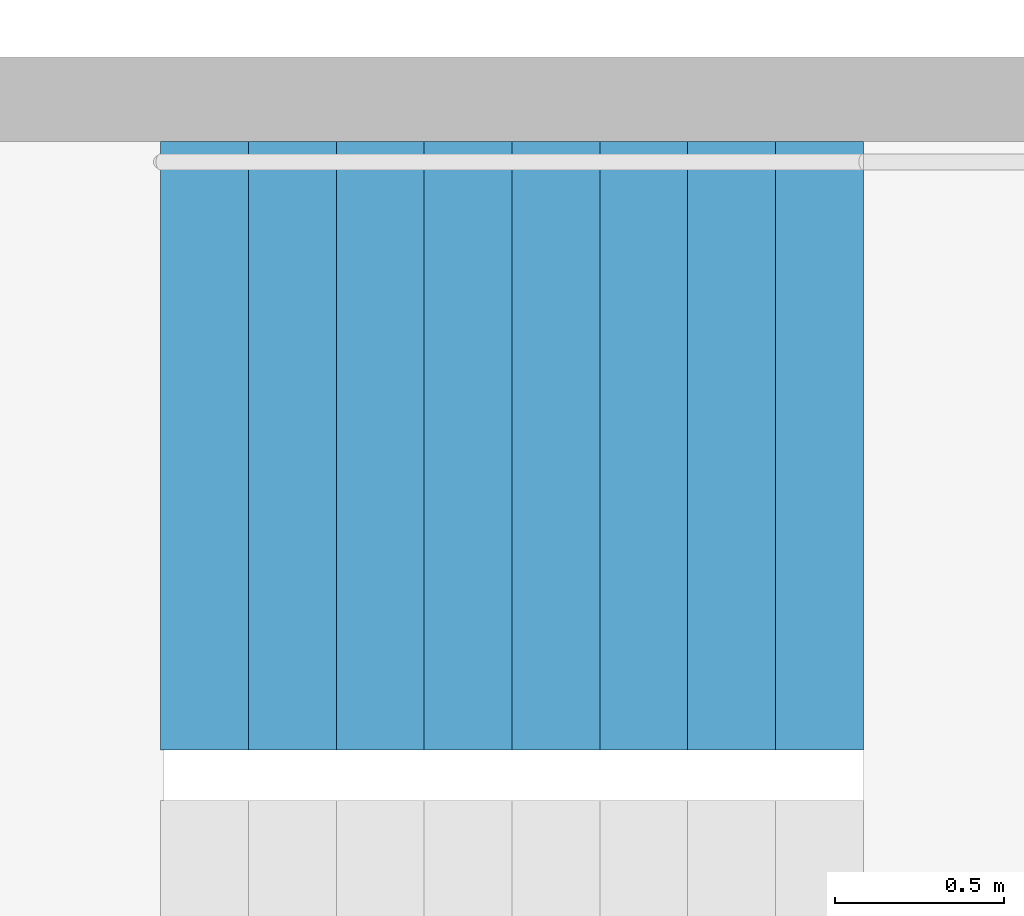
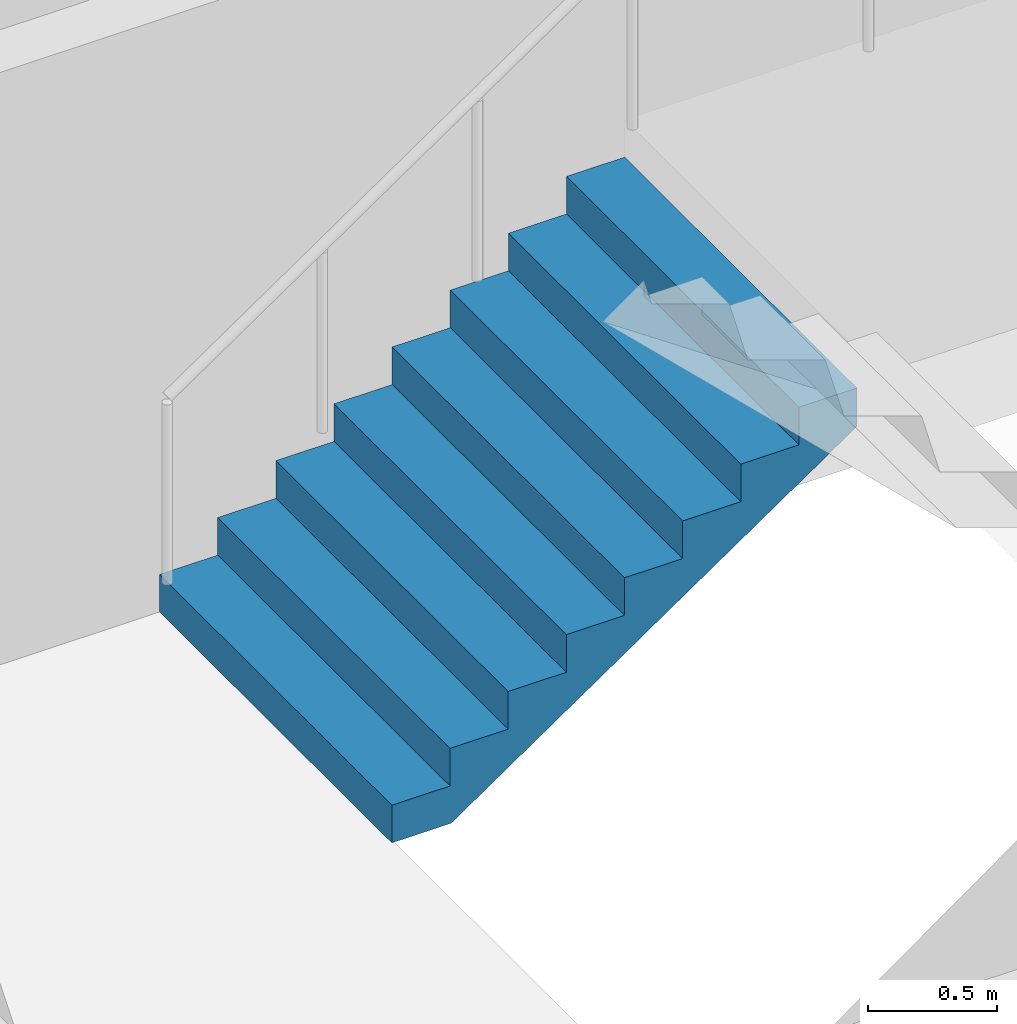
# One storey, part 25 of 28: 1 stair flight, 1 element without a shape of its own.
"""IFC4 building model written with IfcOpenShell, lengths in metres."""

from ifc_helpers import new_model, si_unit, direction, frame, origin, place, context, subcontext, project, spatial, triangles, material, type_object, element, aggregate, save


model = new_model("IFC4")

# Units and contexts
model_context = context("Model", 3, precision=1e-05, world=origin(), true_north=direction((0.0, 1.0)))
body_context = subcontext(model_context, "Body", "Model", "MODEL_VIEW")
ifc_project = project(units=[si_unit("LENGTHUNIT", "METRE"), si_unit("AREAUNIT", "SQUARE_METRE"), si_unit("VOLUMEUNIT", "CUBIC_METRE"), si_unit("PLANEANGLEUNIT", "RADIAN"), si_unit("MASSUNIT", "GRAM", prefix="KILO")], contexts=[model_context])

# Site, building, storey
site_placement = place(None, origin())
site = spatial("IfcSite", under=ifc_project, at=site_placement, CompositionType="ELEMENT")
building_placement = place(site_placement, origin())
building = spatial("IfcBuilding", under=site, at=building_placement, Name="Hakoniwa Tower and Hamabe Station Hall", CompositionType="ELEMENT")
storey_placement = place(building_placement, frame((0.0, 0.0, 58.199951171875)))
storey = spatial("IfcBuildingStorey", under=building, at=storey_placement, Name="L16", CompositionType="ELEMENT", Elevation=58.199951171875)

# Stair, stair flight
ifc_material_1 = material(Name="Concrete C40", Category="concrete")
stair_type = type_object("IfcStairType", Name="ESCAPE STAIR 1800", PredefinedType="HALF_TURN_STAIR", material=ifc_material_1)
stair_placement = place(storey_placement, origin())
stair = element("IfcStair", 1, at=stair_placement, inside=storey, type_object=stair_type, Name="Escape stair ST-4 L16", PredefinedType="HALF_TURN_STAIR")
ifc_material_2 = material(Name="Concrete C40", Category="concrete")
stair_flight_type = type_object("IfcStairFlightType", Name="STAIR FLIGHT 1800", PredefinedType="STRAIGHT", material=ifc_material_2)
stair_flight_placement = place(storey_placement, frame((23.39990234375, -4.64990234375, 0.0), z_axis=(0.0, 0.0, 1.0), x_axis=(1.0, 0.0, 0.0)))
stair_flight = element("IfcStairFlight", 2, at=stair_flight_placement, type_object=stair_flight_type, Name="ST-4 flight 1", NumberOfRisers=9, NumberOfTreads=8, PredefinedType="STRAIGHT", RiserHeight=0.177777778, TreadLength=0.26, context=body_context, shape_type="Tessellation", body=[
    triangles([(0.0, 0.89990234375, 0.0), (0.260009765625, 0.89990234375, 0.0), (0.265625, 0.89990234375, 0.0), (0.52001953125, 0.89990234375, 0.174072265625), (0.780029296875, 0.89990234375, 0.351806640625), (1.0400390625, 0.89990234375, 0.529541015625), (1.300048828125, 0.89990234375, 0.707275390625), (1.56005859375, 0.89990234375, 0.885009765625), (1.820068359375, 0.89990234375, 1.062744140625), (2.080078125, 0.89990234375, 1.24072265625), (2.080078125, 0.89990234375, 1.422119140625), (1.820068359375, 0.89990234375, 1.422119140625), (1.820068359375, 0.89990234375, 1.244384765625), (1.56005859375, 0.89990234375, 1.244384765625), (1.56005859375, 0.89990234375, 1.066650390625), (1.300048828125, 0.89990234375, 1.066650390625), (1.300048828125, 0.89990234375, 0.888916015625), (1.0400390625, 0.89990234375, 0.888916015625), (1.0400390625, 0.89990234375, 0.711181640625), (0.780029296875, 0.89990234375, 0.711181640625), (0.780029296875, 0.89990234375, 0.533447265625), (0.52001953125, 0.89990234375, 0.533447265625), (0.52001953125, 0.89990234375, 0.35546875), (0.265625, 0.89990234375, 0.35546875), (0.260009765625, 0.89990234375, 0.35546875), (0.260009765625, 0.89990234375, 0.177734375), (0.0, 0.89990234375, 0.177734375), (0.0, 0.06005859375, 0.0), (0.260009765625, 0.06005859375, 0.0), (0.265625, 0.06005859375, 0.0), (0.52001953125, 0.06005859375, 0.174072265625), (0.780029296875, 0.06005859375, 0.351806640625), (1.0400390625, 0.06005859375, 0.529541015625), (1.300048828125, 0.06005859375, 0.707275390625), (1.56005859375, 0.06005859375, 0.885009765625), (1.820068359375, 0.06005859375, 1.062744140625), (2.080078125, 0.06005859375, 1.24072265625), (2.080078125, 0.06005859375, 1.422119140625), (1.820068359375, 0.06005859375, 1.422119140625), (1.820068359375, 0.06005859375, 1.244384765625), (1.56005859375, 0.06005859375, 1.244384765625), (1.56005859375, 0.06005859375, 1.066650390625), (1.300048828125, 0.06005859375, 1.066650390625), (1.300048828125, 0.06005859375, 0.888916015625), (1.0400390625, 0.06005859375, 0.888916015625), (1.0400390625, 0.06005859375, 0.711181640625), (0.780029296875, 0.06005859375, 0.711181640625), (0.780029296875, 0.06005859375, 0.533447265625), (0.52001953125, 0.06005859375, 0.533447265625), (0.52001953125, 0.06005859375, 0.35546875), (0.265625, 0.06005859375, 0.35546875), (0.260009765625, 0.06005859375, 0.35546875), (0.260009765625, 0.06005859375, 0.177734375), (0.0, 0.06005859375, 0.177734375), (0.0, 0.04296875, 0.0), (0.260009765625, 0.04296875, 0.0), (0.265625, 0.04296875, 0.0), (0.52001953125, 0.04296875, 0.174072265625), (0.780029296875, 0.04296875, 0.351806640625), (1.0400390625, 0.04296875, 0.529541015625), (1.300048828125, 0.04296875, 0.707275390625), (1.56005859375, 0.04296875, 0.885009765625), (1.820068359375, 0.04296875, 1.062744140625), (2.080078125, 0.04296875, 1.24072265625), (2.080078125, 0.04296875, 1.422119140625), (1.820068359375, 0.04296875, 1.422119140625), (1.820068359375, 0.04296875, 1.244384765625), (1.56005859375, 0.04296875, 1.244384765625), (1.56005859375, 0.04296875, 1.066650390625), (1.300048828125, 0.04296875, 1.066650390625), (1.300048828125, 0.04296875, 0.888916015625), (1.0400390625, 0.04296875, 0.888916015625), (1.0400390625, 0.04296875, 0.711181640625), (0.780029296875, 0.04296875, 0.711181640625), (0.780029296875, 0.04296875, 0.533447265625), (0.52001953125, 0.04296875, 0.533447265625), (0.52001953125, 0.04296875, 0.35546875), (0.265625, 0.04296875, 0.35546875), (0.260009765625, 0.04296875, 0.35546875), (0.260009765625, 0.04296875, 0.177734375), (0.0, 0.04296875, 0.177734375), (0.0, 0.025634765625, 0.0), (0.260009765625, 0.025634765625, 0.0), (0.265625, 0.025634765625, 0.0), (0.52001953125, 0.025634765625, 0.174072265625), (0.780029296875, 0.025634765625, 0.351806640625), (1.0400390625, 0.025634765625, 0.529541015625), (1.300048828125, 0.025634765625, 0.707275390625), (1.56005859375, 0.025634765625, 0.885009765625), (1.820068359375, 0.025634765625, 1.062744140625), (2.080078125, 0.025634765625, 1.24072265625), (2.080078125, 0.025634765625, 1.422119140625), (1.820068359375, 0.025634765625, 1.422119140625), (1.820068359375, 0.025634765625, 1.244384765625), (1.56005859375, 0.025634765625, 1.244384765625), (1.56005859375, 0.025634765625, 1.066650390625), (1.300048828125, 0.025634765625, 1.066650390625), (1.300048828125, 0.025634765625, 0.888916015625), (1.0400390625, 0.025634765625, 0.888916015625), (1.0400390625, 0.025634765625, 0.711181640625), (0.780029296875, 0.025634765625, 0.711181640625), (0.780029296875, 0.025634765625, 0.533447265625), (0.52001953125, 0.025634765625, 0.533447265625), (0.52001953125, 0.025634765625, 0.35546875), (0.265625, 0.025634765625, 0.35546875), (0.260009765625, 0.025634765625, 0.35546875), (0.260009765625, 0.025634765625, 0.177734375), (0.0, 0.025634765625, 0.177734375), (0.0, 0.008544921875, 0.0), (0.260009765625, 0.008544921875, 0.0), (0.265625, 0.008544921875, 0.0), (0.52001953125, 0.008544921875, 0.174072265625), (0.780029296875, 0.008544921875, 0.351806640625), (1.0400390625, 0.008544921875, 0.529541015625), (1.300048828125, 0.008544921875, 0.707275390625), (1.56005859375, 0.008544921875, 0.885009765625), (1.820068359375, 0.008544921875, 1.062744140625), (2.080078125, 0.008544921875, 1.24072265625), (2.080078125, 0.008544921875, 1.422119140625), (1.820068359375, 0.008544921875, 1.422119140625), (1.820068359375, 0.008544921875, 1.244384765625), (1.56005859375, 0.008544921875, 1.244384765625), (1.56005859375, 0.008544921875, 1.066650390625), (1.300048828125, 0.008544921875, 1.066650390625), (1.300048828125, 0.008544921875, 0.888916015625), (1.0400390625, 0.008544921875, 0.888916015625), (1.0400390625, 0.008544921875, 0.711181640625), (0.780029296875, 0.008544921875, 0.711181640625), (0.780029296875, 0.008544921875, 0.533447265625), (0.52001953125, 0.008544921875, 0.533447265625), (0.52001953125, 0.008544921875, 0.35546875), (0.265625, 0.008544921875, 0.35546875), (0.260009765625, 0.008544921875, 0.35546875), (0.260009765625, 0.008544921875, 0.177734375), (0.0, 0.008544921875, 0.177734375), (0.0, -0.008544921875, 0.0), (0.260009765625, -0.008544921875, 0.0), (0.265625, -0.008544921875, 0.0), (0.52001953125, -0.008544921875, 0.174072265625), (0.780029296875, -0.008544921875, 0.351806640625), (1.0400390625, -0.008544921875, 0.529541015625), (1.300048828125, -0.008544921875, 0.707275390625), (1.56005859375, -0.008544921875, 0.885009765625), (1.820068359375, -0.008544921875, 1.062744140625), (2.080078125, -0.008544921875, 1.24072265625), (2.080078125, -0.008544921875, 1.422119140625), (1.820068359375, -0.008544921875, 1.422119140625), (1.820068359375, -0.008544921875, 1.244384765625), (1.56005859375, -0.008544921875, 1.244384765625), (1.56005859375, -0.008544921875, 1.066650390625), (1.300048828125, -0.008544921875, 1.066650390625), (1.300048828125, -0.008544921875, 0.888916015625), (1.0400390625, -0.008544921875, 0.888916015625), (1.0400390625, -0.008544921875, 0.711181640625), (0.780029296875, -0.008544921875, 0.711181640625), (0.780029296875, -0.008544921875, 0.533447265625), (0.52001953125, -0.008544921875, 0.533447265625), (0.52001953125, -0.008544921875, 0.35546875), (0.265625, -0.008544921875, 0.35546875), (0.260009765625, -0.008544921875, 0.35546875), (0.260009765625, -0.008544921875, 0.177734375), (0.0, -0.008544921875, 0.177734375), (0.0, -0.025634765625, 0.0), (0.260009765625, -0.025634765625, 0.0), (0.265625, -0.025634765625, 0.0), (0.52001953125, -0.025634765625, 0.174072265625), (0.780029296875, -0.025634765625, 0.351806640625), (1.0400390625, -0.025634765625, 0.529541015625), (1.300048828125, -0.025634765625, 0.707275390625), (1.56005859375, -0.025634765625, 0.885009765625), (1.820068359375, -0.025634765625, 1.062744140625), (2.080078125, -0.025634765625, 1.24072265625), (2.080078125, -0.025634765625, 1.422119140625), (1.820068359375, -0.025634765625, 1.422119140625), (1.820068359375, -0.025634765625, 1.244384765625), (1.56005859375, -0.025634765625, 1.244384765625), (1.56005859375, -0.025634765625, 1.066650390625), (1.300048828125, -0.025634765625, 1.066650390625), (1.300048828125, -0.025634765625, 0.888916015625), (1.0400390625, -0.025634765625, 0.888916015625), (1.0400390625, -0.025634765625, 0.711181640625), (0.780029296875, -0.025634765625, 0.711181640625), (0.780029296875, -0.025634765625, 0.533447265625), (0.52001953125, -0.025634765625, 0.533447265625), (0.52001953125, -0.025634765625, 0.35546875), (0.265625, -0.025634765625, 0.35546875), (0.260009765625, -0.025634765625, 0.35546875), (0.260009765625, -0.025634765625, 0.177734375), (0.0, -0.025634765625, 0.177734375), (0.0, -0.04296875, 0.0), (0.260009765625, -0.04296875, 0.0), (0.265625, -0.04296875, 0.0), (0.52001953125, -0.04296875, 0.174072265625), (0.780029296875, -0.04296875, 0.351806640625), (1.0400390625, -0.04296875, 0.529541015625), (1.300048828125, -0.04296875, 0.707275390625), (1.56005859375, -0.04296875, 0.885009765625), (1.820068359375, -0.04296875, 1.062744140625), (2.080078125, -0.04296875, 1.24072265625), (2.080078125, -0.04296875, 1.422119140625), (1.820068359375, -0.04296875, 1.422119140625), (1.820068359375, -0.04296875, 1.244384765625), (1.56005859375, -0.04296875, 1.244384765625), (1.56005859375, -0.04296875, 1.066650390625), (1.300048828125, -0.04296875, 1.066650390625), (1.300048828125, -0.04296875, 0.888916015625), (1.0400390625, -0.04296875, 0.888916015625), (1.0400390625, -0.04296875, 0.711181640625), (0.780029296875, -0.04296875, 0.711181640625), (0.780029296875, -0.04296875, 0.533447265625), (0.52001953125, -0.04296875, 0.533447265625), (0.52001953125, -0.04296875, 0.35546875), (0.265625, -0.04296875, 0.35546875), (0.260009765625, -0.04296875, 0.35546875), (0.260009765625, -0.04296875, 0.177734375), (0.0, -0.04296875, 0.177734375), (0.0, -0.06005859375, 0.0), (0.260009765625, -0.06005859375, 0.0), (0.265625, -0.06005859375, 0.0), (0.52001953125, -0.06005859375, 0.174072265625), (0.780029296875, -0.06005859375, 0.351806640625), (1.0400390625, -0.06005859375, 0.529541015625), (1.300048828125, -0.06005859375, 0.707275390625), (1.56005859375, -0.06005859375, 0.885009765625), (1.820068359375, -0.06005859375, 1.062744140625), (2.080078125, -0.06005859375, 1.24072265625), (2.080078125, -0.06005859375, 1.422119140625), (1.820068359375, -0.06005859375, 1.422119140625), (1.820068359375, -0.06005859375, 1.244384765625), (1.56005859375, -0.06005859375, 1.244384765625), (1.56005859375, -0.06005859375, 1.066650390625), (1.300048828125, -0.06005859375, 1.066650390625), (1.300048828125, -0.06005859375, 0.888916015625), (1.0400390625, -0.06005859375, 0.888916015625), (1.0400390625, -0.06005859375, 0.711181640625), (0.780029296875, -0.06005859375, 0.711181640625), (0.780029296875, -0.06005859375, 0.533447265625), (0.52001953125, -0.06005859375, 0.533447265625), (0.52001953125, -0.06005859375, 0.35546875), (0.265625, -0.06005859375, 0.35546875), (0.260009765625, -0.06005859375, 0.35546875), (0.260009765625, -0.06005859375, 0.177734375), (0.0, -0.06005859375, 0.177734375), (0.0, -0.89990234375, 0.0), (0.260009765625, -0.89990234375, 0.0), (0.265625, -0.89990234375, 0.0), (0.52001953125, -0.89990234375, 0.174072265625), (0.780029296875, -0.89990234375, 0.351806640625), (1.0400390625, -0.89990234375, 0.529541015625), (1.300048828125, -0.89990234375, 0.707275390625), (1.56005859375, -0.89990234375, 0.885009765625), (1.820068359375, -0.89990234375, 1.062744140625), (2.080078125, -0.89990234375, 1.24072265625), (2.080078125, -0.89990234375, 1.422119140625), (1.820068359375, -0.89990234375, 1.422119140625), (1.820068359375, -0.89990234375, 1.244384765625), (1.56005859375, -0.89990234375, 1.244384765625), (1.56005859375, -0.89990234375, 1.066650390625), (1.300048828125, -0.89990234375, 1.066650390625), (1.300048828125, -0.89990234375, 0.888916015625), (1.0400390625, -0.89990234375, 0.888916015625), (1.0400390625, -0.89990234375, 0.711181640625), (0.780029296875, -0.89990234375, 0.711181640625), (0.780029296875, -0.89990234375, 0.533447265625), (0.52001953125, -0.89990234375, 0.533447265625), (0.52001953125, -0.89990234375, 0.35546875), (0.265625, -0.89990234375, 0.35546875), (0.260009765625, -0.89990234375, 0.35546875), (0.260009765625, -0.89990234375, 0.177734375), (0.0, -0.89990234375, 0.177734375)], [[2, 27, 26], [245, 269, 270], [2, 1, 27], [245, 270, 244], [3, 25, 24], [246, 267, 268], [3, 26, 25], [246, 268, 269], [3, 2, 26], [246, 269, 245], [4, 24, 23], [247, 266, 267], [4, 3, 24], [247, 267, 246], [5, 22, 21], [248, 264, 265], [5, 23, 22], [248, 265, 266], [5, 4, 23], [248, 266, 247], [6, 20, 19], [249, 262, 263], [6, 21, 20], [249, 263, 264], [6, 5, 21], [249, 264, 248], [7, 18, 17], [250, 260, 261], [7, 19, 18], [250, 261, 262], [7, 6, 19], [250, 262, 249], [8, 16, 15], [251, 258, 259], [8, 17, 16], [251, 259, 260], [8, 7, 17], [251, 260, 250], [9, 14, 13], [252, 256, 257], [9, 15, 14], [252, 257, 258], [9, 8, 15], [252, 258, 251], [10, 12, 11], [253, 254, 255], [10, 13, 12], [253, 255, 256], [10, 9, 13], [253, 256, 252], [1, 2, 29], [1, 29, 28], [28, 29, 56], [28, 56, 55], [55, 56, 83], [55, 83, 82], [82, 83, 110], [82, 110, 109], [109, 110, 137], [109, 137, 136], [136, 137, 164], [136, 164, 163], [163, 164, 191], [163, 191, 190], [190, 191, 218], [190, 218, 217], [217, 218, 245], [217, 245, 244], [2, 3, 30], [2, 30, 29], [29, 30, 57], [29, 57, 56], [56, 57, 84], [56, 84, 83], [83, 84, 111], [83, 111, 110], [110, 111, 138], [110, 138, 137], [137, 138, 165], [137, 165, 164], [164, 165, 192], [164, 192, 191], [191, 192, 219], [191, 219, 218], [218, 219, 246], [218, 246, 245], [3, 4, 31], [3, 31, 30], [30, 31, 58], [30, 58, 57], [57, 58, 85], [57, 85, 84], [84, 85, 112], [84, 112, 111], [111, 112, 139], [111, 139, 138], [138, 139, 166], [138, 166, 165], [165, 166, 193], [165, 193, 192], [192, 193, 220], [192, 220, 219], [219, 220, 247], [219, 247, 246], [4, 5, 32], [4, 32, 31], [31, 32, 59], [31, 59, 58], [58, 59, 86], [58, 86, 85], [85, 86, 113], [85, 113, 112], [112, 113, 140], [112, 140, 139], [139, 140, 167], [139, 167, 166], [166, 167, 194], [166, 194, 193], [193, 194, 221], [193, 221, 220], [220, 221, 248], [220, 248, 247], [5, 6, 33], [5, 33, 32], [32, 33, 60], [32, 60, 59], [59, 60, 87], [59, 87, 86], [86, 87, 114], [86, 114, 113], [113, 114, 141], [113, 141, 140], [140, 141, 168], [140, 168, 167], [167, 168, 195], [167, 195, 194], [194, 195, 222], [194, 222, 221], [221, 222, 249], [221, 249, 248], [6, 7, 34], [6, 34, 33], [33, 34, 61], [33, 61, 60], [60, 61, 88], [60, 88, 87], [87, 88, 115], [87, 115, 114], [114, 115, 142], [114, 142, 141], [141, 142, 169], [141, 169, 168], [168, 169, 196], [168, 196, 195], [195, 196, 223], [195, 223, 222], [222, 223, 250], [222, 250, 249], [7, 8, 35], [7, 35, 34], [34, 35, 62], [34, 62, 61], [61, 62, 89], [61, 89, 88], [88, 89, 116], [88, 116, 115], [115, 116, 143], [115, 143, 142], [142, 143, 170], [142, 170, 169], [169, 170, 197], [169, 197, 196], [196, 197, 224], [196, 224, 223], [223, 224, 251], [223, 251, 250], [8, 9, 36], [8, 36, 35], [35, 36, 63], [35, 63, 62], [62, 63, 90], [62, 90, 89], [89, 90, 117], [89, 117, 116], [116, 117, 144], [116, 144, 143], [143, 144, 171], [143, 171, 170], [170, 171, 198], [170, 198, 197], [197, 198, 225], [197, 225, 224], [224, 225, 252], [224, 252, 251], [9, 10, 37], [9, 37, 36], [36, 37, 64], [36, 64, 63], [63, 64, 91], [63, 91, 90], [90, 91, 118], [90, 118, 117], [117, 118, 145], [117, 145, 144], [144, 145, 172], [144, 172, 171], [171, 172, 199], [171, 199, 198], [198, 199, 226], [198, 226, 225], [225, 226, 253], [225, 253, 252], [10, 11, 38], [10, 38, 37], [37, 38, 65], [37, 65, 64], [64, 65, 92], [64, 92, 91], [91, 92, 119], [91, 119, 118], [118, 119, 146], [118, 146, 145], [145, 146, 173], [145, 173, 172], [172, 173, 200], [172, 200, 199], [199, 200, 227], [199, 227, 226], [226, 227, 254], [226, 254, 253], [11, 12, 39], [11, 39, 38], [38, 39, 66], [38, 66, 65], [65, 66, 93], [65, 93, 92], [92, 93, 120], [92, 120, 119], [119, 120, 147], [119, 147, 146], [146, 147, 174], [146, 174, 173], [173, 174, 201], [173, 201, 200], [200, 201, 228], [200, 228, 227], [227, 228, 255], [227, 255, 254], [12, 13, 40], [12, 40, 39], [39, 40, 67], [39, 67, 66], [66, 67, 94], [66, 94, 93], [93, 94, 121], [93, 121, 120], [120, 121, 148], [120, 148, 147], [147, 148, 175], [147, 175, 174], [174, 175, 202], [174, 202, 201], [201, 202, 229], [201, 229, 228], [228, 229, 256], [228, 256, 255], [13, 14, 41], [13, 41, 40], [40, 41, 68], [40, 68, 67], [67, 68, 95], [67, 95, 94], [94, 95, 122], [94, 122, 121], [121, 122, 149], [121, 149, 148], [148, 149, 176], [148, 176, 175], [175, 176, 203], [175, 203, 202], [202, 203, 230], [202, 230, 229], [229, 230, 257], [229, 257, 256], [14, 15, 42], [14, 42, 41], [41, 42, 69], [41, 69, 68], [68, 69, 96], [68, 96, 95], [95, 96, 123], [95, 123, 122], [122, 123, 150], [122, 150, 149], [149, 150, 177], [149, 177, 176], [176, 177, 204], [176, 204, 203], [203, 204, 231], [203, 231, 230], [230, 231, 258], [230, 258, 257], [15, 16, 43], [15, 43, 42], [42, 43, 70], [42, 70, 69], [69, 70, 97], [69, 97, 96], [96, 97, 124], [96, 124, 123], [123, 124, 151], [123, 151, 150], [150, 151, 178], [150, 178, 177], [177, 178, 205], [177, 205, 204], [204, 205, 232], [204, 232, 231], [231, 232, 259], [231, 259, 258], [16, 17, 44], [16, 44, 43], [43, 44, 71], [43, 71, 70], [70, 71, 98], [70, 98, 97], [97, 98, 125], [97, 125, 124], [124, 125, 152], [124, 152, 151], [151, 152, 179], [151, 179, 178], [178, 179, 206], [178, 206, 205], [205, 206, 233], [205, 233, 232], [232, 233, 260], [232, 260, 259], [17, 18, 45], [17, 45, 44], [44, 45, 72], [44, 72, 71], [71, 72, 99], [71, 99, 98], [98, 99, 126], [98, 126, 125], [125, 126, 153], [125, 153, 152], [152, 153, 180], [152, 180, 179], [179, 180, 207], [179, 207, 206], [206, 207, 234], [206, 234, 233], [233, 234, 261], [233, 261, 260], [18, 19, 46], [18, 46, 45], [45, 46, 73], [45, 73, 72], [72, 73, 100], [72, 100, 99], [99, 100, 127], [99, 127, 126], [126, 127, 154], [126, 154, 153], [153, 154, 181], [153, 181, 180], [180, 181, 208], [180, 208, 207], [207, 208, 235], [207, 235, 234], [234, 235, 262], [234, 262, 261], [19, 20, 47], [19, 47, 46], [46, 47, 74], [46, 74, 73], [73, 74, 101], [73, 101, 100], [100, 101, 128], [100, 128, 127], [127, 128, 155], [127, 155, 154], [154, 155, 182], [154, 182, 181], [181, 182, 209], [181, 209, 208], [208, 209, 236], [208, 236, 235], [235, 236, 263], [235, 263, 262], [20, 21, 48], [20, 48, 47], [47, 48, 75], [47, 75, 74], [74, 75, 102], [74, 102, 101], [101, 102, 129], [101, 129, 128], [128, 129, 156], [128, 156, 155], [155, 156, 183], [155, 183, 182], [182, 183, 210], [182, 210, 209], [209, 210, 237], [209, 237, 236], [236, 237, 264], [236, 264, 263], [21, 22, 49], [21, 49, 48], [48, 49, 76], [48, 76, 75], [75, 76, 103], [75, 103, 102], [102, 103, 130], [102, 130, 129], [129, 130, 157], [129, 157, 156], [156, 157, 184], [156, 184, 183], [183, 184, 211], [183, 211, 210], [210, 211, 238], [210, 238, 237], [237, 238, 265], [237, 265, 264], [22, 23, 50], [22, 50, 49], [49, 50, 77], [49, 77, 76], [76, 77, 104], [76, 104, 103], [103, 104, 131], [103, 131, 130], [130, 131, 158], [130, 158, 157], [157, 158, 185], [157, 185, 184], [184, 185, 212], [184, 212, 211], [211, 212, 239], [211, 239, 238], [238, 239, 266], [238, 266, 265], [23, 24, 51], [23, 51, 50], [50, 51, 78], [50, 78, 77], [77, 78, 105], [77, 105, 104], [104, 105, 132], [104, 132, 131], [131, 132, 159], [131, 159, 158], [158, 159, 186], [158, 186, 185], [185, 186, 213], [185, 213, 212], [212, 213, 240], [212, 240, 239], [239, 240, 267], [239, 267, 266], [24, 25, 52], [24, 52, 51], [51, 52, 79], [51, 79, 78], [78, 79, 106], [78, 106, 105], [105, 106, 133], [105, 133, 132], [132, 133, 160], [132, 160, 159], [159, 160, 187], [159, 187, 186], [186, 187, 214], [186, 214, 213], [213, 214, 241], [213, 241, 240], [240, 241, 268], [240, 268, 267], [25, 26, 53], [25, 53, 52], [52, 53, 80], [52, 80, 79], [79, 80, 107], [79, 107, 106], [106, 107, 134], [106, 134, 133], [133, 134, 161], [133, 161, 160], [160, 161, 188], [160, 188, 187], [187, 188, 215], [187, 215, 214], [214, 215, 242], [214, 242, 241], [241, 242, 269], [241, 269, 268], [26, 27, 54], [26, 54, 53], [53, 54, 81], [53, 81, 80], [80, 81, 108], [80, 108, 107], [107, 108, 135], [107, 135, 134], [134, 135, 162], [134, 162, 161], [161, 162, 189], [161, 189, 188], [188, 189, 216], [188, 216, 215], [215, 216, 243], [215, 243, 242], [242, 243, 270], [242, 270, 269], [27, 1, 28], [27, 28, 54], [54, 28, 55], [54, 55, 81], [81, 55, 82], [81, 82, 108], [108, 82, 109], [108, 109, 135], [135, 109, 136], [135, 136, 162], [162, 136, 163], [162, 163, 189], [189, 163, 190], [189, 190, 216], [216, 190, 217], [216, 217, 243], [243, 217, 244], [243, 244, 270]], closed=True),
])
aggregate(stair, [stair_flight])

save(model, "model.ifc")
